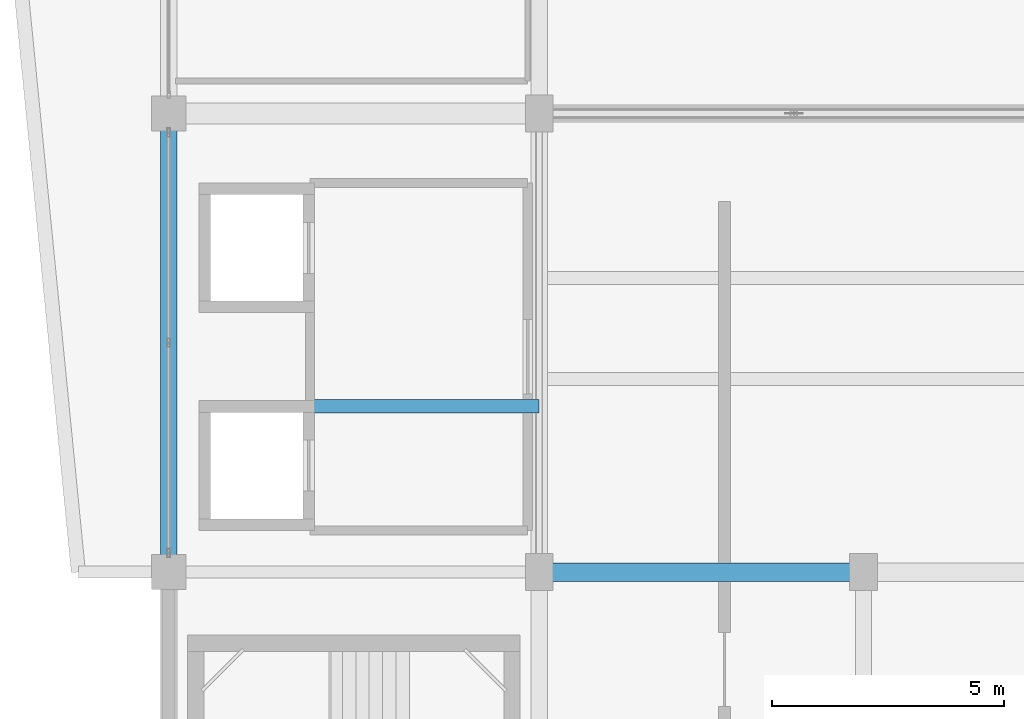
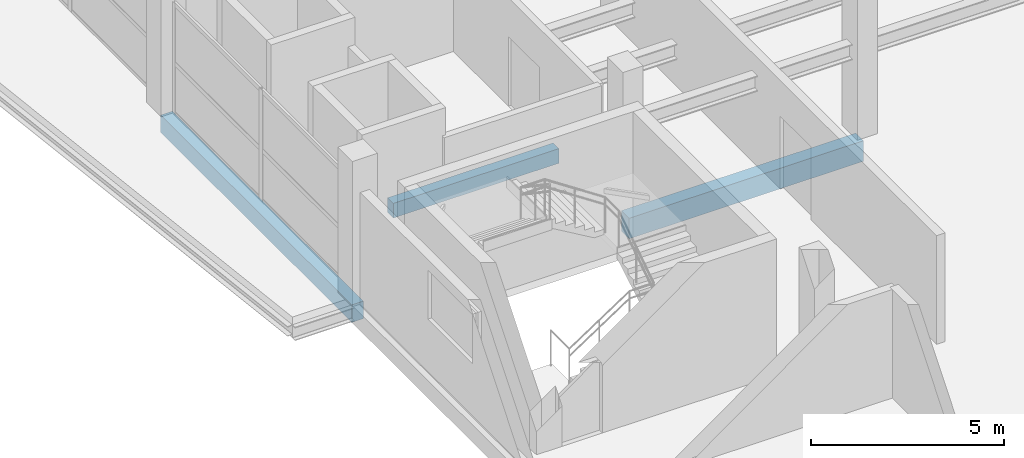
# One storey, part 7 of 55: 3 beams.
"""IFC4 building model written with IfcOpenShell, lengths in metres."""

from ifc_helpers import new_model, si_unit, direction, frame, origin, origin_2d, place, context, subcontext, project, spatial, rectangle, extrude, material, material_profile, profile_set, type_object, element, save


model = new_model("IFC4")

# Units and contexts
model_context = context("Model", 3, precision=1e-05, world=origin(), true_north=direction((0.0, 1.0)))
body_context = subcontext(model_context, "Body", "Model", "MODEL_VIEW")
ifc_project = project(units=[si_unit("LENGTHUNIT", "METRE"), si_unit("AREAUNIT", "SQUARE_METRE"), si_unit("VOLUMEUNIT", "CUBIC_METRE"), si_unit("PLANEANGLEUNIT", "RADIAN"), si_unit("MASSUNIT", "GRAM", prefix="KILO")], contexts=[model_context])

# Site, building, storey
site_placement = place(None, origin())
site = spatial("IfcSite", under=ifc_project, at=site_placement, CompositionType="ELEMENT")
building_placement = place(site_placement, origin())
building = spatial("IfcBuilding", under=site, at=building_placement, Name="Sillaruma Civic Art Gallery", CompositionType="ELEMENT")
storey_placement = place(building_placement, frame((0.0, 0.0, 37.739990234375)))
storey = spatial("IfcBuildingStorey", under=building, at=storey_placement, Name="L07", CompositionType="ELEMENT", Elevation=37.739990234375)

# Beams
ifc_material = material(Name="Concrete H35 (35 MPa)", Category="concrete")
ifc_material_profile_1 = material_profile(ifc_material, rectangle(XDim=0.39990234375, YDim=0.64990234375, at=origin_2d()), Name="RCB400x650")
ifc_profile_set_1 = profile_set([ifc_material_profile_1], Name="Concrete H35 (35 MPa)")
beam_type_1 = type_object("IfcBeamType", Name="BM-BEAM-RCB400x650", PredefinedType="BEAM", material=ifc_profile_set_1)
beam_1_placement = place(storey_placement, frame((70.0, 39.60009765625, -0.56494140625), z_axis=(1.0, 0.0, 0.0), x_axis=(0.0, 1.0, 0.0)))
element("IfcBeam", 1, at=beam_1_placement, inside=storey, type_object=beam_type_1, Name="Beam BM-05 (L06:5:G-H)", PredefinedType="BEAM", context=body_context, shape_type="SweptSolid", body=[
    extrude(rectangle(XDim=0.39990234375, YDim=0.64990234375, at=origin_2d()), origin(), (0.0, 0.0, 1.0), 7.0),
])
ifc_material_profile_2 = material_profile(ifc_material, rectangle(XDim=0.300048828125, YDim=0.4599609375, at=origin_2d()), Name="RCB300x460")
ifc_profile_set_2 = profile_set([ifc_material_profile_2], Name="Concrete H35 (35 MPa)")
beam_type_2 = type_object("IfcBeamType", Name="BM-LINTEL-RCB300x460", PredefinedType="LINTEL", material=ifc_profile_set_2)
beam_2_placement = place(storey_placement, frame((65.050048828125, 43.179931640625, -0.469970703125), z_axis=(1.0, 0.0, 0.0), x_axis=(0.0, 1.0, 0.0)))
element("IfcBeam", 2, at=beam_2_placement, inside=storey, type_object=beam_type_2, Name="Core Portal Coupling Lintel BL-01 (L06:PL1)", PredefinedType="LINTEL", context=body_context, shape_type="SweptSolid", body=[
    extrude(rectangle(XDim=0.300048828125, YDim=0.4599609375, at=origin_2d()), origin(), (0.0, 0.0, 1.0), 4.949951171875),
])
ifc_material_profile_3 = material_profile(ifc_material, rectangle(XDim=0.35009765625, YDim=0.550048828125, at=origin_2d()), Name="RCB350x550")
ifc_profile_set_3 = profile_set([ifc_material_profile_3], Name="Concrete H35 (35 MPa)")
beam_type_3 = type_object("IfcBeamType", Name="BM-SPANDREL-RCB350x550", PredefinedType="SPANDREL", material=ifc_profile_set_3)
beam_3_placement = place(storey_placement, frame((62.0, 39.60009765625, -0.514892578125), z_axis=(0.0, 1.0, 0.0), x_axis=(-1.0, 0.0, 0.0)))
element("IfcBeam", 3, at=beam_3_placement, inside=storey, type_object=beam_type_3, Name="Beam BS-04 (L06:F:5-6)", PredefinedType="SPANDREL", context=body_context, shape_type="SweptSolid", body=[
    extrude(rectangle(XDim=0.35009765625, YDim=0.550048828125, at=origin_2d()), origin(), (0.0, 0.0, 1.0), 9.89990234375),
])

save(model, "model.ifc")
